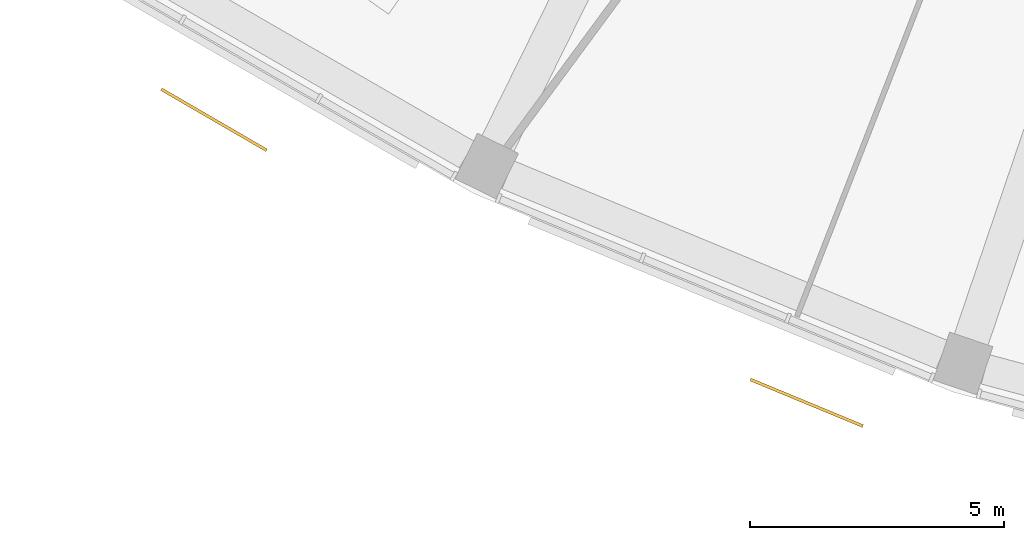
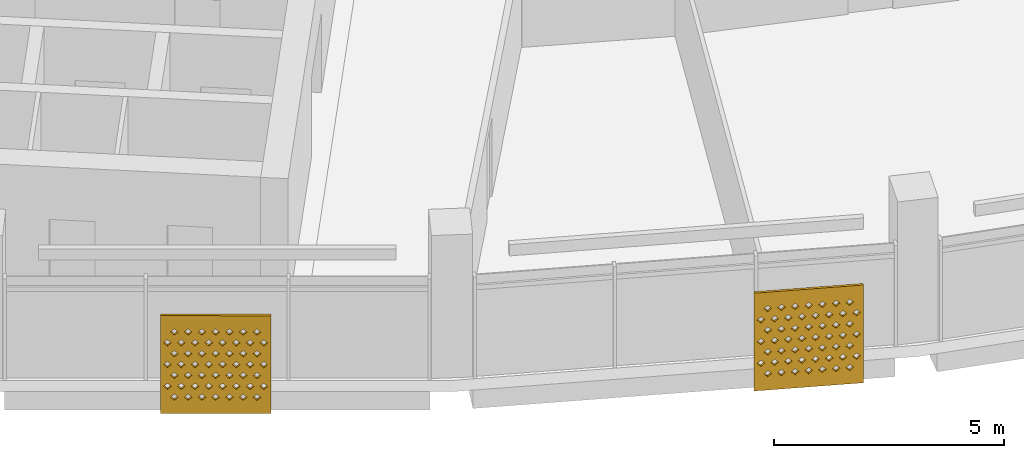
# One storey, part 23 of 29: 2 shading devices.
"""IFC4 building model written with IfcOpenShell, lengths in metres."""

from ifc_helpers import new_model, si_unit, direction, frame, origin, place, context, subcontext, project, spatial, polyline, outline, extrude, material, material_profile, profile_set, type_object, element, save


model = new_model("IFC4")

# Units and contexts
model_context = context("Model", 3, precision=1e-05, world=origin(), true_north=direction((0.0, 1.0)))
body_context = subcontext(model_context, "Body", "Model", "MODEL_VIEW")
ifc_project = project(units=[si_unit("LENGTHUNIT", "METRE"), si_unit("AREAUNIT", "SQUARE_METRE"), si_unit("VOLUMEUNIT", "CUBIC_METRE"), si_unit("PLANEANGLEUNIT", "RADIAN"), si_unit("MASSUNIT", "GRAM", prefix="KILO")], contexts=[model_context])

# Site, building, storey
site_placement = place(None, origin())
site = spatial("IfcSite", under=ifc_project, at=site_placement, CompositionType="ELEMENT")
building_placement = place(site_placement, origin())
building = spatial("IfcBuilding", under=site, at=building_placement, Name="Qamariyya Broadcast Tower", CompositionType="ELEMENT")
storey_placement = place(building_placement, frame((0.0, 0.0, 261.89990234375)))
storey = spatial("IfcBuildingStorey", under=building, at=storey_placement, Name="L63", CompositionType="ELEMENT", Elevation=261.89990234375)

# Shading devices
ifc_material = material(Name="Perforated glazed terracotta", Category="masonry")
ifc_material_profile = material_profile(ifc_material, outline(polyline([(-1.199951171875, -1.300048828125), (1.199951171875, -1.300048828125), (1.199951171875, 1.300048828125), (-1.199951171875, 1.300048828125), (-1.199951171875, -1.300048828125)]), holes=[polyline([(-0.81494140625, -0.86669921875), (-0.89990234375, -0.78173828125), (-0.985107421875, -0.86669921875), (-0.89990234375, -0.95166015625), (-0.81494140625, -0.86669921875)]), polyline([(-0.514892578125, -0.86669921875), (-0.60009765625, -0.78173828125), (-0.68505859375, -0.86669921875), (-0.60009765625, -0.95166015625), (-0.514892578125, -0.86669921875)]), polyline([(-0.215087890625, -0.86669921875), (-0.300048828125, -0.78173828125), (-0.385009765625, -0.86669921875), (-0.300048828125, -0.95166015625), (-0.215087890625, -0.86669921875)]), polyline([(0.0849609375, -0.86669921875), (0.0, -0.78173828125), (-0.0849609375, -0.86669921875), (0.0, -0.95166015625), (0.0849609375, -0.86669921875)]), polyline([(0.385009765625, -0.86669921875), (0.300048828125, -0.78173828125), (0.215087890625, -0.86669921875), (0.300048828125, -0.95166015625), (0.385009765625, -0.86669921875)]), polyline([(0.68505859375, -0.86669921875), (0.60009765625, -0.78173828125), (0.514892578125, -0.86669921875), (0.60009765625, -0.95166015625), (0.68505859375, -0.86669921875)]), polyline([(0.985107421875, -0.86669921875), (0.89990234375, -0.78173828125), (0.81494140625, -0.86669921875), (0.89990234375, -0.95166015625), (0.985107421875, -0.86669921875)]), polyline([(-0.965087890625, -0.577880859375), (-1.050048828125, -0.49267578125), (-1.135009765625, -0.577880859375), (-1.050048828125, -0.662841796875), (-0.965087890625, -0.577880859375)]), polyline([(-0.6650390625, -0.577880859375), (-0.75, -0.49267578125), (-0.8349609375, -0.577880859375), (-0.75, -0.662841796875), (-0.6650390625, -0.577880859375)]), polyline([(-0.364990234375, -0.577880859375), (-0.449951171875, -0.49267578125), (-0.534912109375, -0.577880859375), (-0.449951171875, -0.662841796875), (-0.364990234375, -0.577880859375)]), polyline([(-0.06494140625, -0.577880859375), (-0.14990234375, -0.49267578125), (-0.235107421875, -0.577880859375), (-0.14990234375, -0.662841796875), (-0.06494140625, -0.577880859375)]), polyline([(0.235107421875, -0.577880859375), (0.14990234375, -0.49267578125), (0.06494140625, -0.577880859375), (0.14990234375, -0.662841796875), (0.235107421875, -0.577880859375)]), polyline([(0.534912109375, -0.577880859375), (0.449951171875, -0.49267578125), (0.364990234375, -0.577880859375), (0.449951171875, -0.662841796875), (0.534912109375, -0.577880859375)]), polyline([(0.8349609375, -0.577880859375), (0.75, -0.49267578125), (0.6650390625, -0.577880859375), (0.75, -0.662841796875), (0.8349609375, -0.577880859375)]), polyline([(1.135009765625, -0.577880859375), (1.050048828125, -0.49267578125), (0.965087890625, -0.577880859375), (1.050048828125, -0.662841796875), (1.135009765625, -0.577880859375)]), polyline([(-0.81494140625, -0.288818359375), (-0.89990234375, -0.203857421875), (-0.985107421875, -0.288818359375), (-0.89990234375, -0.373779296875), (-0.81494140625, -0.288818359375)]), polyline([(-0.514892578125, -0.288818359375), (-0.60009765625, -0.203857421875), (-0.68505859375, -0.288818359375), (-0.60009765625, -0.373779296875), (-0.514892578125, -0.288818359375)]), polyline([(-0.215087890625, -0.288818359375), (-0.300048828125, -0.203857421875), (-0.385009765625, -0.288818359375), (-0.300048828125, -0.373779296875), (-0.215087890625, -0.288818359375)]), polyline([(0.0849609375, -0.288818359375), (0.0, -0.203857421875), (-0.0849609375, -0.288818359375), (0.0, -0.373779296875), (0.0849609375, -0.288818359375)]), polyline([(0.385009765625, -0.288818359375), (0.300048828125, -0.203857421875), (0.215087890625, -0.288818359375), (0.300048828125, -0.373779296875), (0.385009765625, -0.288818359375)]), polyline([(0.68505859375, -0.288818359375), (0.60009765625, -0.203857421875), (0.514892578125, -0.288818359375), (0.60009765625, -0.373779296875), (0.68505859375, -0.288818359375)]), polyline([(0.985107421875, -0.288818359375), (0.89990234375, -0.203857421875), (0.81494140625, -0.288818359375), (0.89990234375, -0.373779296875), (0.985107421875, -0.288818359375)]), polyline([(-0.965087890625, 0.0), (-1.050048828125, 0.0849609375), (-1.135009765625, 0.0), (-1.050048828125, -0.0849609375), (-0.965087890625, 0.0)]), polyline([(-0.6650390625, 0.0), (-0.75, 0.0849609375), (-0.8349609375, 0.0), (-0.75, -0.0849609375), (-0.6650390625, 0.0)]), polyline([(-0.364990234375, 0.0), (-0.449951171875, 0.0849609375), (-0.534912109375, 0.0), (-0.449951171875, -0.0849609375), (-0.364990234375, 0.0)]), polyline([(-0.06494140625, 0.0), (-0.14990234375, 0.0849609375), (-0.235107421875, 0.0), (-0.14990234375, -0.0849609375), (-0.06494140625, 0.0)]), polyline([(0.235107421875, 0.0), (0.14990234375, 0.0849609375), (0.06494140625, 0.0), (0.14990234375, -0.0849609375), (0.235107421875, 0.0)]), polyline([(0.534912109375, 0.0), (0.449951171875, 0.0849609375), (0.364990234375, 0.0), (0.449951171875, -0.0849609375), (0.534912109375, 0.0)]), polyline([(0.8349609375, 0.0), (0.75, 0.0849609375), (0.6650390625, 0.0), (0.75, -0.0849609375), (0.8349609375, 0.0)]), polyline([(1.135009765625, 0.0), (1.050048828125, 0.0849609375), (0.965087890625, 0.0), (1.050048828125, -0.0849609375), (1.135009765625, 0.0)]), polyline([(-0.81494140625, 0.288818359375), (-0.89990234375, 0.373779296875), (-0.985107421875, 0.288818359375), (-0.89990234375, 0.203857421875), (-0.81494140625, 0.288818359375)]), polyline([(-0.514892578125, 0.288818359375), (-0.60009765625, 0.373779296875), (-0.68505859375, 0.288818359375), (-0.60009765625, 0.203857421875), (-0.514892578125, 0.288818359375)]), polyline([(-0.215087890625, 0.288818359375), (-0.300048828125, 0.373779296875), (-0.385009765625, 0.288818359375), (-0.300048828125, 0.203857421875), (-0.215087890625, 0.288818359375)]), polyline([(0.0849609375, 0.288818359375), (0.0, 0.373779296875), (-0.0849609375, 0.288818359375), (0.0, 0.203857421875), (0.0849609375, 0.288818359375)]), polyline([(0.385009765625, 0.288818359375), (0.300048828125, 0.373779296875), (0.215087890625, 0.288818359375), (0.300048828125, 0.203857421875), (0.385009765625, 0.288818359375)]), polyline([(0.68505859375, 0.288818359375), (0.60009765625, 0.373779296875), (0.514892578125, 0.288818359375), (0.60009765625, 0.203857421875), (0.68505859375, 0.288818359375)]), polyline([(0.985107421875, 0.288818359375), (0.89990234375, 0.373779296875), (0.81494140625, 0.288818359375), (0.89990234375, 0.203857421875), (0.985107421875, 0.288818359375)]), polyline([(-0.965087890625, 0.577880859375), (-1.050048828125, 0.662841796875), (-1.135009765625, 0.577880859375), (-1.050048828125, 0.49267578125), (-0.965087890625, 0.577880859375)]), polyline([(-0.6650390625, 0.577880859375), (-0.75, 0.662841796875), (-0.8349609375, 0.577880859375), (-0.75, 0.49267578125), (-0.6650390625, 0.577880859375)]), polyline([(-0.364990234375, 0.577880859375), (-0.449951171875, 0.662841796875), (-0.534912109375, 0.577880859375), (-0.449951171875, 0.49267578125), (-0.364990234375, 0.577880859375)]), polyline([(-0.06494140625, 0.577880859375), (-0.14990234375, 0.662841796875), (-0.235107421875, 0.577880859375), (-0.14990234375, 0.49267578125), (-0.06494140625, 0.577880859375)]), polyline([(0.235107421875, 0.577880859375), (0.14990234375, 0.662841796875), (0.06494140625, 0.577880859375), (0.14990234375, 0.49267578125), (0.235107421875, 0.577880859375)]), polyline([(0.534912109375, 0.577880859375), (0.449951171875, 0.662841796875), (0.364990234375, 0.577880859375), (0.449951171875, 0.49267578125), (0.534912109375, 0.577880859375)]), polyline([(0.8349609375, 0.577880859375), (0.75, 0.662841796875), (0.6650390625, 0.577880859375), (0.75, 0.49267578125), (0.8349609375, 0.577880859375)]), polyline([(1.135009765625, 0.577880859375), (1.050048828125, 0.662841796875), (0.965087890625, 0.577880859375), (1.050048828125, 0.49267578125), (1.135009765625, 0.577880859375)]), polyline([(-0.81494140625, 0.86669921875), (-0.89990234375, 0.95166015625), (-0.985107421875, 0.86669921875), (-0.89990234375, 0.78173828125), (-0.81494140625, 0.86669921875)]), polyline([(-0.514892578125, 0.86669921875), (-0.60009765625, 0.95166015625), (-0.68505859375, 0.86669921875), (-0.60009765625, 0.78173828125), (-0.514892578125, 0.86669921875)]), polyline([(-0.215087890625, 0.86669921875), (-0.300048828125, 0.95166015625), (-0.385009765625, 0.86669921875), (-0.300048828125, 0.78173828125), (-0.215087890625, 0.86669921875)]), polyline([(0.0849609375, 0.86669921875), (0.0, 0.95166015625), (-0.0849609375, 0.86669921875), (0.0, 0.78173828125), (0.0849609375, 0.86669921875)]), polyline([(0.385009765625, 0.86669921875), (0.300048828125, 0.95166015625), (0.215087890625, 0.86669921875), (0.300048828125, 0.78173828125), (0.385009765625, 0.86669921875)]), polyline([(0.68505859375, 0.86669921875), (0.60009765625, 0.95166015625), (0.514892578125, 0.86669921875), (0.60009765625, 0.78173828125), (0.68505859375, 0.86669921875)]), polyline([(0.985107421875, 0.86669921875), (0.89990234375, 0.95166015625), (0.81494140625, 0.86669921875), (0.89990234375, 0.78173828125), (0.985107421875, 0.86669921875)])]))
ifc_profile_set = profile_set([ifc_material_profile], Name="Perforated glazed terracotta")
shading_device_type = type_object("IfcShadingDeviceType", Name="Perforated terracotta screen 2400 x 2600", PredefinedType="USERDEFINED", material=ifc_profile_set)
shading_device_1_placement = place(storey_placement, frame((-39.7529296875, -68.792236328125, 1.35009765625), z_axis=(-0.501840203948, -0.86496035152, 0.0), x_axis=(0.86496035152, -0.501840203948, 0.0)))
element("IfcShadingDevice", 1, at=shading_device_1_placement, inside=storey, type_object=shading_device_type, Name="e-scr-L63-03-1", ObjectType="SCREEN", PredefinedType="USERDEFINED", context=body_context, shape_type="SweptSolid", body=[
    extrude(outline(polyline([(-1.199951171875, -1.300048828125), (1.199951171875, -1.300048828125), (1.199951171875, 1.300048828125), (-1.199951171875, 1.300048828125), (-1.199951171875, -1.300048828125)]), holes=[polyline([(-0.81494140625, -0.86669921875), (-0.89990234375, -0.78173828125), (-0.985107421875, -0.86669921875), (-0.89990234375, -0.95166015625), (-0.81494140625, -0.86669921875)]), polyline([(-0.514892578125, -0.86669921875), (-0.60009765625, -0.78173828125), (-0.68505859375, -0.86669921875), (-0.60009765625, -0.95166015625), (-0.514892578125, -0.86669921875)]), polyline([(-0.215087890625, -0.86669921875), (-0.300048828125, -0.78173828125), (-0.385009765625, -0.86669921875), (-0.300048828125, -0.95166015625), (-0.215087890625, -0.86669921875)]), polyline([(0.0849609375, -0.86669921875), (0.0, -0.78173828125), (-0.0849609375, -0.86669921875), (0.0, -0.95166015625), (0.0849609375, -0.86669921875)]), polyline([(0.385009765625, -0.86669921875), (0.300048828125, -0.78173828125), (0.215087890625, -0.86669921875), (0.300048828125, -0.95166015625), (0.385009765625, -0.86669921875)]), polyline([(0.68505859375, -0.86669921875), (0.60009765625, -0.78173828125), (0.514892578125, -0.86669921875), (0.60009765625, -0.95166015625), (0.68505859375, -0.86669921875)]), polyline([(0.985107421875, -0.86669921875), (0.89990234375, -0.78173828125), (0.81494140625, -0.86669921875), (0.89990234375, -0.95166015625), (0.985107421875, -0.86669921875)]), polyline([(-0.965087890625, -0.577880859375), (-1.050048828125, -0.49267578125), (-1.135009765625, -0.577880859375), (-1.050048828125, -0.662841796875), (-0.965087890625, -0.577880859375)]), polyline([(-0.6650390625, -0.577880859375), (-0.75, -0.49267578125), (-0.8349609375, -0.577880859375), (-0.75, -0.662841796875), (-0.6650390625, -0.577880859375)]), polyline([(-0.364990234375, -0.577880859375), (-0.449951171875, -0.49267578125), (-0.534912109375, -0.577880859375), (-0.449951171875, -0.662841796875), (-0.364990234375, -0.577880859375)]), polyline([(-0.06494140625, -0.577880859375), (-0.14990234375, -0.49267578125), (-0.235107421875, -0.577880859375), (-0.14990234375, -0.662841796875), (-0.06494140625, -0.577880859375)]), polyline([(0.235107421875, -0.577880859375), (0.14990234375, -0.49267578125), (0.06494140625, -0.577880859375), (0.14990234375, -0.662841796875), (0.235107421875, -0.577880859375)]), polyline([(0.534912109375, -0.577880859375), (0.449951171875, -0.49267578125), (0.364990234375, -0.577880859375), (0.449951171875, -0.662841796875), (0.534912109375, -0.577880859375)]), polyline([(0.8349609375, -0.577880859375), (0.75, -0.49267578125), (0.6650390625, -0.577880859375), (0.75, -0.662841796875), (0.8349609375, -0.577880859375)]), polyline([(1.135009765625, -0.577880859375), (1.050048828125, -0.49267578125), (0.965087890625, -0.577880859375), (1.050048828125, -0.662841796875), (1.135009765625, -0.577880859375)]), polyline([(-0.81494140625, -0.288818359375), (-0.89990234375, -0.203857421875), (-0.985107421875, -0.288818359375), (-0.89990234375, -0.373779296875), (-0.81494140625, -0.288818359375)]), polyline([(-0.514892578125, -0.288818359375), (-0.60009765625, -0.203857421875), (-0.68505859375, -0.288818359375), (-0.60009765625, -0.373779296875), (-0.514892578125, -0.288818359375)]), polyline([(-0.215087890625, -0.288818359375), (-0.300048828125, -0.203857421875), (-0.385009765625, -0.288818359375), (-0.300048828125, -0.373779296875), (-0.215087890625, -0.288818359375)]), polyline([(0.0849609375, -0.288818359375), (0.0, -0.203857421875), (-0.0849609375, -0.288818359375), (0.0, -0.373779296875), (0.0849609375, -0.288818359375)]), polyline([(0.385009765625, -0.288818359375), (0.300048828125, -0.203857421875), (0.215087890625, -0.288818359375), (0.300048828125, -0.373779296875), (0.385009765625, -0.288818359375)]), polyline([(0.68505859375, -0.288818359375), (0.60009765625, -0.203857421875), (0.514892578125, -0.288818359375), (0.60009765625, -0.373779296875), (0.68505859375, -0.288818359375)]), polyline([(0.985107421875, -0.288818359375), (0.89990234375, -0.203857421875), (0.81494140625, -0.288818359375), (0.89990234375, -0.373779296875), (0.985107421875, -0.288818359375)]), polyline([(-0.965087890625, 0.0), (-1.050048828125, 0.0849609375), (-1.135009765625, 0.0), (-1.050048828125, -0.0849609375), (-0.965087890625, 0.0)]), polyline([(-0.6650390625, 0.0), (-0.75, 0.0849609375), (-0.8349609375, 0.0), (-0.75, -0.0849609375), (-0.6650390625, 0.0)]), polyline([(-0.364990234375, 0.0), (-0.449951171875, 0.0849609375), (-0.534912109375, 0.0), (-0.449951171875, -0.0849609375), (-0.364990234375, 0.0)]), polyline([(-0.06494140625, 0.0), (-0.14990234375, 0.0849609375), (-0.235107421875, 0.0), (-0.14990234375, -0.0849609375), (-0.06494140625, 0.0)]), polyline([(0.235107421875, 0.0), (0.14990234375, 0.0849609375), (0.06494140625, 0.0), (0.14990234375, -0.0849609375), (0.235107421875, 0.0)]), polyline([(0.534912109375, 0.0), (0.449951171875, 0.0849609375), (0.364990234375, 0.0), (0.449951171875, -0.0849609375), (0.534912109375, 0.0)]), polyline([(0.8349609375, 0.0), (0.75, 0.0849609375), (0.6650390625, 0.0), (0.75, -0.0849609375), (0.8349609375, 0.0)]), polyline([(1.135009765625, 0.0), (1.050048828125, 0.0849609375), (0.965087890625, 0.0), (1.050048828125, -0.0849609375), (1.135009765625, 0.0)]), polyline([(-0.81494140625, 0.288818359375), (-0.89990234375, 0.373779296875), (-0.985107421875, 0.288818359375), (-0.89990234375, 0.203857421875), (-0.81494140625, 0.288818359375)]), polyline([(-0.514892578125, 0.288818359375), (-0.60009765625, 0.373779296875), (-0.68505859375, 0.288818359375), (-0.60009765625, 0.203857421875), (-0.514892578125, 0.288818359375)]), polyline([(-0.215087890625, 0.288818359375), (-0.300048828125, 0.373779296875), (-0.385009765625, 0.288818359375), (-0.300048828125, 0.203857421875), (-0.215087890625, 0.288818359375)]), polyline([(0.0849609375, 0.288818359375), (0.0, 0.373779296875), (-0.0849609375, 0.288818359375), (0.0, 0.203857421875), (0.0849609375, 0.288818359375)]), polyline([(0.385009765625, 0.288818359375), (0.300048828125, 0.373779296875), (0.215087890625, 0.288818359375), (0.300048828125, 0.203857421875), (0.385009765625, 0.288818359375)]), polyline([(0.68505859375, 0.288818359375), (0.60009765625, 0.373779296875), (0.514892578125, 0.288818359375), (0.60009765625, 0.203857421875), (0.68505859375, 0.288818359375)]), polyline([(0.985107421875, 0.288818359375), (0.89990234375, 0.373779296875), (0.81494140625, 0.288818359375), (0.89990234375, 0.203857421875), (0.985107421875, 0.288818359375)]), polyline([(-0.965087890625, 0.577880859375), (-1.050048828125, 0.662841796875), (-1.135009765625, 0.577880859375), (-1.050048828125, 0.49267578125), (-0.965087890625, 0.577880859375)]), polyline([(-0.6650390625, 0.577880859375), (-0.75, 0.662841796875), (-0.8349609375, 0.577880859375), (-0.75, 0.49267578125), (-0.6650390625, 0.577880859375)]), polyline([(-0.364990234375, 0.577880859375), (-0.449951171875, 0.662841796875), (-0.534912109375, 0.577880859375), (-0.449951171875, 0.49267578125), (-0.364990234375, 0.577880859375)]), polyline([(-0.06494140625, 0.577880859375), (-0.14990234375, 0.662841796875), (-0.235107421875, 0.577880859375), (-0.14990234375, 0.49267578125), (-0.06494140625, 0.577880859375)]), polyline([(0.235107421875, 0.577880859375), (0.14990234375, 0.662841796875), (0.06494140625, 0.577880859375), (0.14990234375, 0.49267578125), (0.235107421875, 0.577880859375)]), polyline([(0.534912109375, 0.577880859375), (0.449951171875, 0.662841796875), (0.364990234375, 0.577880859375), (0.449951171875, 0.49267578125), (0.534912109375, 0.577880859375)]), polyline([(0.8349609375, 0.577880859375), (0.75, 0.662841796875), (0.6650390625, 0.577880859375), (0.75, 0.49267578125), (0.8349609375, 0.577880859375)]), polyline([(1.135009765625, 0.577880859375), (1.050048828125, 0.662841796875), (0.965087890625, 0.577880859375), (1.050048828125, 0.49267578125), (1.135009765625, 0.577880859375)]), polyline([(-0.81494140625, 0.86669921875), (-0.89990234375, 0.95166015625), (-0.985107421875, 0.86669921875), (-0.89990234375, 0.78173828125), (-0.81494140625, 0.86669921875)]), polyline([(-0.514892578125, 0.86669921875), (-0.60009765625, 0.95166015625), (-0.68505859375, 0.86669921875), (-0.60009765625, 0.78173828125), (-0.514892578125, 0.86669921875)]), polyline([(-0.215087890625, 0.86669921875), (-0.300048828125, 0.95166015625), (-0.385009765625, 0.86669921875), (-0.300048828125, 0.78173828125), (-0.215087890625, 0.86669921875)]), polyline([(0.0849609375, 0.86669921875), (0.0, 0.95166015625), (-0.0849609375, 0.86669921875), (0.0, 0.78173828125), (0.0849609375, 0.86669921875)]), polyline([(0.385009765625, 0.86669921875), (0.300048828125, 0.95166015625), (0.215087890625, 0.86669921875), (0.300048828125, 0.78173828125), (0.385009765625, 0.86669921875)]), polyline([(0.68505859375, 0.86669921875), (0.60009765625, 0.95166015625), (0.514892578125, 0.86669921875), (0.60009765625, 0.78173828125), (0.68505859375, 0.86669921875)]), polyline([(0.985107421875, 0.86669921875), (0.89990234375, 0.95166015625), (0.81494140625, 0.86669921875), (0.89990234375, 0.78173828125), (0.985107421875, 0.86669921875)])]), origin(), (0.0, 0.0, 1.0), 0.059814453125),
])
shading_device_2_placement = place(storey_placement, frame((-28.066650390625, -74.372802734375, 1.35009765625), z_axis=(-0.382591441855, -0.923917630863, 0.0), x_axis=(0.923917630863, -0.382591441855, 0.0)))
element("IfcShadingDevice", 2, at=shading_device_2_placement, inside=storey, type_object=shading_device_type, Name="e-scr-L63-04-2", ObjectType="SCREEN", PredefinedType="USERDEFINED", context=body_context, shape_type="SweptSolid", body=[
    extrude(outline(polyline([(-1.199951171875, -1.300048828125), (1.199951171875, -1.300048828125), (1.199951171875, 1.300048828125), (-1.199951171875, 1.300048828125), (-1.199951171875, -1.300048828125)]), holes=[polyline([(-0.81494140625, -0.86669921875), (-0.89990234375, -0.78173828125), (-0.985107421875, -0.86669921875), (-0.89990234375, -0.95166015625), (-0.81494140625, -0.86669921875)]), polyline([(-0.514892578125, -0.86669921875), (-0.60009765625, -0.78173828125), (-0.68505859375, -0.86669921875), (-0.60009765625, -0.95166015625), (-0.514892578125, -0.86669921875)]), polyline([(-0.215087890625, -0.86669921875), (-0.300048828125, -0.78173828125), (-0.385009765625, -0.86669921875), (-0.300048828125, -0.95166015625), (-0.215087890625, -0.86669921875)]), polyline([(0.0849609375, -0.86669921875), (0.0, -0.78173828125), (-0.0849609375, -0.86669921875), (0.0, -0.95166015625), (0.0849609375, -0.86669921875)]), polyline([(0.385009765625, -0.86669921875), (0.300048828125, -0.78173828125), (0.215087890625, -0.86669921875), (0.300048828125, -0.95166015625), (0.385009765625, -0.86669921875)]), polyline([(0.68505859375, -0.86669921875), (0.60009765625, -0.78173828125), (0.514892578125, -0.86669921875), (0.60009765625, -0.95166015625), (0.68505859375, -0.86669921875)]), polyline([(0.985107421875, -0.86669921875), (0.89990234375, -0.78173828125), (0.81494140625, -0.86669921875), (0.89990234375, -0.95166015625), (0.985107421875, -0.86669921875)]), polyline([(-0.965087890625, -0.577880859375), (-1.050048828125, -0.49267578125), (-1.135009765625, -0.577880859375), (-1.050048828125, -0.662841796875), (-0.965087890625, -0.577880859375)]), polyline([(-0.6650390625, -0.577880859375), (-0.75, -0.49267578125), (-0.8349609375, -0.577880859375), (-0.75, -0.662841796875), (-0.6650390625, -0.577880859375)]), polyline([(-0.364990234375, -0.577880859375), (-0.449951171875, -0.49267578125), (-0.534912109375, -0.577880859375), (-0.449951171875, -0.662841796875), (-0.364990234375, -0.577880859375)]), polyline([(-0.06494140625, -0.577880859375), (-0.14990234375, -0.49267578125), (-0.235107421875, -0.577880859375), (-0.14990234375, -0.662841796875), (-0.06494140625, -0.577880859375)]), polyline([(0.235107421875, -0.577880859375), (0.14990234375, -0.49267578125), (0.06494140625, -0.577880859375), (0.14990234375, -0.662841796875), (0.235107421875, -0.577880859375)]), polyline([(0.534912109375, -0.577880859375), (0.449951171875, -0.49267578125), (0.364990234375, -0.577880859375), (0.449951171875, -0.662841796875), (0.534912109375, -0.577880859375)]), polyline([(0.8349609375, -0.577880859375), (0.75, -0.49267578125), (0.6650390625, -0.577880859375), (0.75, -0.662841796875), (0.8349609375, -0.577880859375)]), polyline([(1.135009765625, -0.577880859375), (1.050048828125, -0.49267578125), (0.965087890625, -0.577880859375), (1.050048828125, -0.662841796875), (1.135009765625, -0.577880859375)]), polyline([(-0.81494140625, -0.288818359375), (-0.89990234375, -0.203857421875), (-0.985107421875, -0.288818359375), (-0.89990234375, -0.373779296875), (-0.81494140625, -0.288818359375)]), polyline([(-0.514892578125, -0.288818359375), (-0.60009765625, -0.203857421875), (-0.68505859375, -0.288818359375), (-0.60009765625, -0.373779296875), (-0.514892578125, -0.288818359375)]), polyline([(-0.215087890625, -0.288818359375), (-0.300048828125, -0.203857421875), (-0.385009765625, -0.288818359375), (-0.300048828125, -0.373779296875), (-0.215087890625, -0.288818359375)]), polyline([(0.0849609375, -0.288818359375), (0.0, -0.203857421875), (-0.0849609375, -0.288818359375), (0.0, -0.373779296875), (0.0849609375, -0.288818359375)]), polyline([(0.385009765625, -0.288818359375), (0.300048828125, -0.203857421875), (0.215087890625, -0.288818359375), (0.300048828125, -0.373779296875), (0.385009765625, -0.288818359375)]), polyline([(0.68505859375, -0.288818359375), (0.60009765625, -0.203857421875), (0.514892578125, -0.288818359375), (0.60009765625, -0.373779296875), (0.68505859375, -0.288818359375)]), polyline([(0.985107421875, -0.288818359375), (0.89990234375, -0.203857421875), (0.81494140625, -0.288818359375), (0.89990234375, -0.373779296875), (0.985107421875, -0.288818359375)]), polyline([(-0.965087890625, 0.0), (-1.050048828125, 0.0849609375), (-1.135009765625, 0.0), (-1.050048828125, -0.0849609375), (-0.965087890625, 0.0)]), polyline([(-0.6650390625, 0.0), (-0.75, 0.0849609375), (-0.8349609375, 0.0), (-0.75, -0.0849609375), (-0.6650390625, 0.0)]), polyline([(-0.364990234375, 0.0), (-0.449951171875, 0.0849609375), (-0.534912109375, 0.0), (-0.449951171875, -0.0849609375), (-0.364990234375, 0.0)]), polyline([(-0.06494140625, 0.0), (-0.14990234375, 0.0849609375), (-0.235107421875, 0.0), (-0.14990234375, -0.0849609375), (-0.06494140625, 0.0)]), polyline([(0.235107421875, 0.0), (0.14990234375, 0.0849609375), (0.06494140625, 0.0), (0.14990234375, -0.0849609375), (0.235107421875, 0.0)]), polyline([(0.534912109375, 0.0), (0.449951171875, 0.0849609375), (0.364990234375, 0.0), (0.449951171875, -0.0849609375), (0.534912109375, 0.0)]), polyline([(0.8349609375, 0.0), (0.75, 0.0849609375), (0.6650390625, 0.0), (0.75, -0.0849609375), (0.8349609375, 0.0)]), polyline([(1.135009765625, 0.0), (1.050048828125, 0.0849609375), (0.965087890625, 0.0), (1.050048828125, -0.0849609375), (1.135009765625, 0.0)]), polyline([(-0.81494140625, 0.288818359375), (-0.89990234375, 0.373779296875), (-0.985107421875, 0.288818359375), (-0.89990234375, 0.203857421875), (-0.81494140625, 0.288818359375)]), polyline([(-0.514892578125, 0.288818359375), (-0.60009765625, 0.373779296875), (-0.68505859375, 0.288818359375), (-0.60009765625, 0.203857421875), (-0.514892578125, 0.288818359375)]), polyline([(-0.215087890625, 0.288818359375), (-0.300048828125, 0.373779296875), (-0.385009765625, 0.288818359375), (-0.300048828125, 0.203857421875), (-0.215087890625, 0.288818359375)]), polyline([(0.0849609375, 0.288818359375), (0.0, 0.373779296875), (-0.0849609375, 0.288818359375), (0.0, 0.203857421875), (0.0849609375, 0.288818359375)]), polyline([(0.385009765625, 0.288818359375), (0.300048828125, 0.373779296875), (0.215087890625, 0.288818359375), (0.300048828125, 0.203857421875), (0.385009765625, 0.288818359375)]), polyline([(0.68505859375, 0.288818359375), (0.60009765625, 0.373779296875), (0.514892578125, 0.288818359375), (0.60009765625, 0.203857421875), (0.68505859375, 0.288818359375)]), polyline([(0.985107421875, 0.288818359375), (0.89990234375, 0.373779296875), (0.81494140625, 0.288818359375), (0.89990234375, 0.203857421875), (0.985107421875, 0.288818359375)]), polyline([(-0.965087890625, 0.577880859375), (-1.050048828125, 0.662841796875), (-1.135009765625, 0.577880859375), (-1.050048828125, 0.49267578125), (-0.965087890625, 0.577880859375)]), polyline([(-0.6650390625, 0.577880859375), (-0.75, 0.662841796875), (-0.8349609375, 0.577880859375), (-0.75, 0.49267578125), (-0.6650390625, 0.577880859375)]), polyline([(-0.364990234375, 0.577880859375), (-0.449951171875, 0.662841796875), (-0.534912109375, 0.577880859375), (-0.449951171875, 0.49267578125), (-0.364990234375, 0.577880859375)]), polyline([(-0.06494140625, 0.577880859375), (-0.14990234375, 0.662841796875), (-0.235107421875, 0.577880859375), (-0.14990234375, 0.49267578125), (-0.06494140625, 0.577880859375)]), polyline([(0.235107421875, 0.577880859375), (0.14990234375, 0.662841796875), (0.06494140625, 0.577880859375), (0.14990234375, 0.49267578125), (0.235107421875, 0.577880859375)]), polyline([(0.534912109375, 0.577880859375), (0.449951171875, 0.662841796875), (0.364990234375, 0.577880859375), (0.449951171875, 0.49267578125), (0.534912109375, 0.577880859375)]), polyline([(0.8349609375, 0.577880859375), (0.75, 0.662841796875), (0.6650390625, 0.577880859375), (0.75, 0.49267578125), (0.8349609375, 0.577880859375)]), polyline([(1.135009765625, 0.577880859375), (1.050048828125, 0.662841796875), (0.965087890625, 0.577880859375), (1.050048828125, 0.49267578125), (1.135009765625, 0.577880859375)]), polyline([(-0.81494140625, 0.86669921875), (-0.89990234375, 0.95166015625), (-0.985107421875, 0.86669921875), (-0.89990234375, 0.78173828125), (-0.81494140625, 0.86669921875)]), polyline([(-0.514892578125, 0.86669921875), (-0.60009765625, 0.95166015625), (-0.68505859375, 0.86669921875), (-0.60009765625, 0.78173828125), (-0.514892578125, 0.86669921875)]), polyline([(-0.215087890625, 0.86669921875), (-0.300048828125, 0.95166015625), (-0.385009765625, 0.86669921875), (-0.300048828125, 0.78173828125), (-0.215087890625, 0.86669921875)]), polyline([(0.0849609375, 0.86669921875), (0.0, 0.95166015625), (-0.0849609375, 0.86669921875), (0.0, 0.78173828125), (0.0849609375, 0.86669921875)]), polyline([(0.385009765625, 0.86669921875), (0.300048828125, 0.95166015625), (0.215087890625, 0.86669921875), (0.300048828125, 0.78173828125), (0.385009765625, 0.86669921875)]), polyline([(0.68505859375, 0.86669921875), (0.60009765625, 0.95166015625), (0.514892578125, 0.86669921875), (0.60009765625, 0.78173828125), (0.68505859375, 0.86669921875)]), polyline([(0.985107421875, 0.86669921875), (0.89990234375, 0.95166015625), (0.81494140625, 0.86669921875), (0.89990234375, 0.78173828125), (0.985107421875, 0.86669921875)])]), origin(), (0.0, 0.0, 1.0), 0.06005859375),
])

save(model, "model.ifc")
